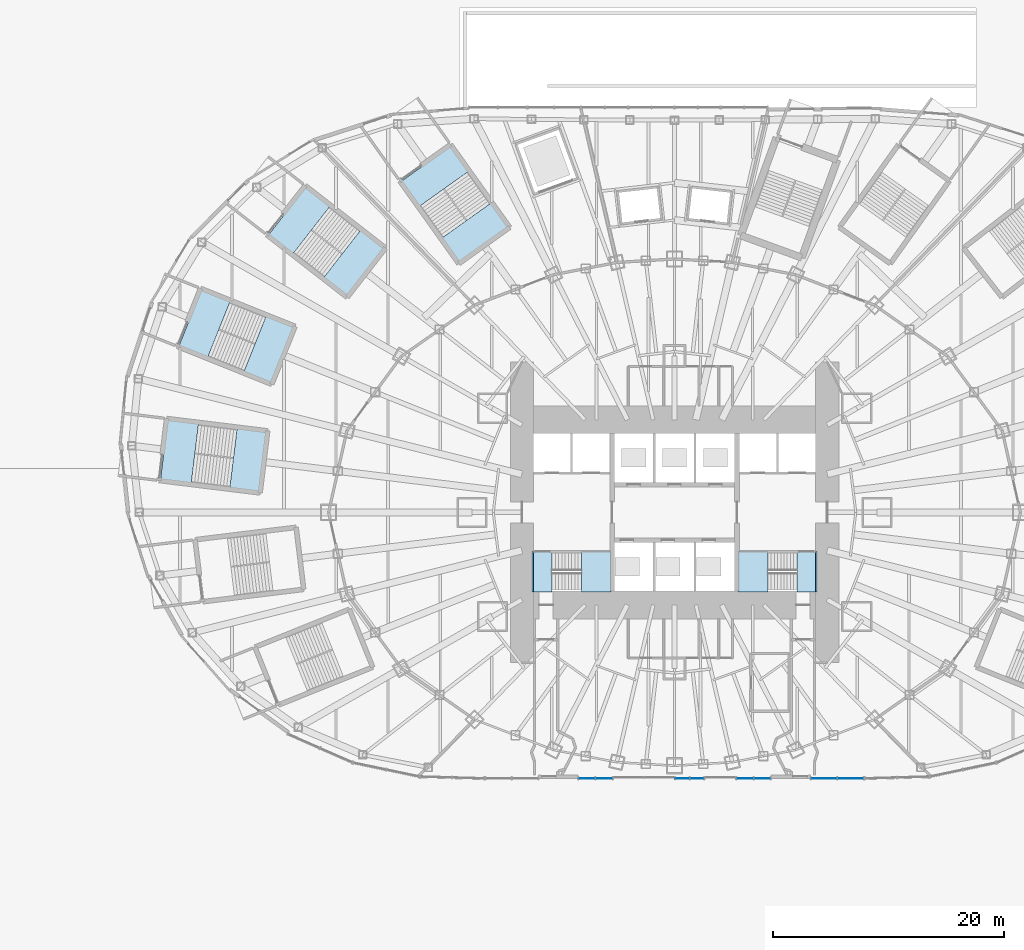
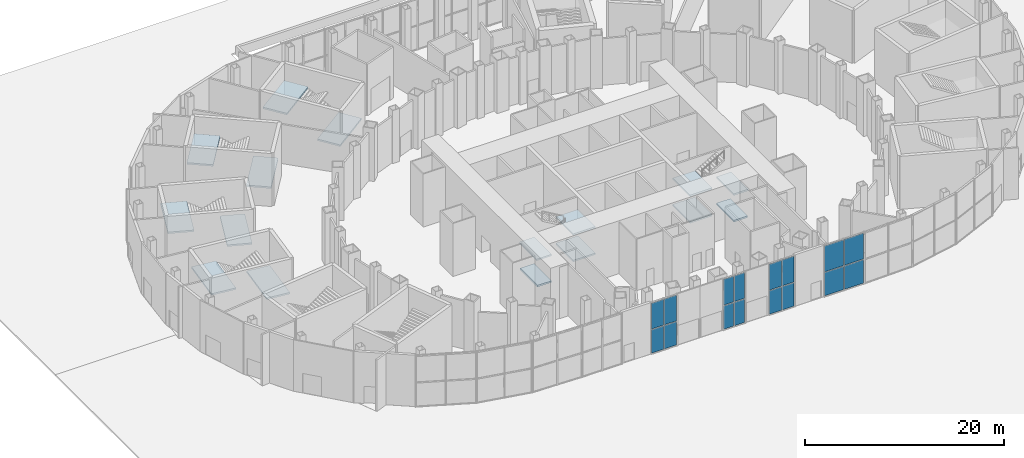
# One storey, part 14 of 47: 16 plates, 16 slabs, 10 elements without a shape of their own.
"""IFC4 building model written with IfcOpenShell, lengths in metres."""

from ifc_helpers import new_model, si_unit, direction, frame, origin, origin_2d, place, context, subcontext, project, spatial, polyline, rectangle, outline, extrude, material, layer, layer_set, type_object, element, aggregate, save


model = new_model("IFC4")

# Units and contexts
model_context = context("Model", 3, precision=1e-05, world=origin(), true_north=direction((0.0, 1.0)))
body_context = subcontext(model_context, "Body", "Model", "MODEL_VIEW")
ifc_project = project(units=[si_unit("LENGTHUNIT", "METRE"), si_unit("AREAUNIT", "SQUARE_METRE"), si_unit("VOLUMEUNIT", "CUBIC_METRE"), si_unit("PLANEANGLEUNIT", "RADIAN"), si_unit("MASSUNIT", "GRAM", prefix="KILO")], contexts=[model_context])

# Site, building, storey
site_placement = place(None, origin())
site = spatial("IfcSite", under=ifc_project, at=site_placement, CompositionType="ELEMENT")
building_placement = place(site_placement, origin())
building = spatial("IfcBuilding", under=site, at=building_placement, Name="Lantaw Convention Tower", CompositionType="ELEMENT")
storey_placement = place(building_placement, origin())
storey = spatial("IfcBuildingStorey", under=building, at=storey_placement, Name="L00", CompositionType="ELEMENT", Elevation=0.0)

# Curtain wall, plates
ifc_material_1 = material(Name="Aluminium framed curtain wall", Category="aluminium")
curtain_wall_type = type_object("IfcCurtainWallType", Name="Podium storefront curtain wall, pale aluminium", PredefinedType="USERDEFINED", material=ifc_material_1)
curtain_wall_1_placement = place(storey_placement, origin())
curtain_wall_1 = element("IfcCurtainWall", 1, at=curtain_wall_1_placement, inside=storey, type_object=curtain_wall_type, Name="Podium storefront curtain wall, pale aluminium L00", ObjectType="STOREFRONT", PredefinedType="USERDEFINED")
ifc_material_2 = material(Name="Laminated clear glass", Category="glass")
ifc_layer_1 = layer(ifc_material_2, 0.031982421875)
ifc_layer_set_1 = layer_set([ifc_layer_1], Name="CW-P panel 32")
plate_type = type_object("IfcPlateType", Name="CW-P panel 32", PredefinedType="CURTAIN_PANEL", material=ifc_layer_set_1)
plate_1_placement = place(storey_placement, frame((-7.5859375, -23.0, 0.080078125), z_axis=(0.0, 0.0, 1.0), x_axis=(1.0, 0.0, 0.0)))
plate_1 = element("IfcPlate", 2, at=plate_1_placement, type_object=plate_type, Name="CW-P panel 1.1", PredefinedType="CURTAIN_PANEL", context=body_context, shape_type="SweptSolid", body=[
    extrude(rectangle(XDim=1.41064453125, YDim=0.031982421875, at=origin_2d()), origin(), (0.0, 0.0, 1.0), 2.8798828125),
])
plate_2_placement = place(storey_placement, frame((-7.5859375, -23.0, 3.0400390625), z_axis=(0.0, 0.0, 1.0), x_axis=(1.0, 0.0, 0.0)))
plate_2 = element("IfcPlate", 3, at=plate_2_placement, type_object=plate_type, Name="CW-P panel 1.2", PredefinedType="CURTAIN_PANEL", context=body_context, shape_type="SweptSolid", body=[
    extrude(rectangle(XDim=1.41064453125, YDim=0.031982421875, at=origin_2d()), origin(), (0.0, 0.0, 1.0), 3.179931640625),
])
plate_3_placement = place(storey_placement, frame((-6.09521484375, -23.0, 0.080078125), z_axis=(0.0, 0.0, 1.0), x_axis=(1.0, 0.0, 0.0)))
plate_3 = element("IfcPlate", 4, at=plate_3_placement, type_object=plate_type, Name="CW-P panel 2.1", PredefinedType="CURTAIN_PANEL", context=body_context, shape_type="SweptSolid", body=[
    extrude(rectangle(XDim=1.41064453125, YDim=0.031982421875, at=origin_2d()), origin(), (0.0, 0.0, 1.0), 2.8798828125),
])
plate_4_placement = place(storey_placement, frame((-6.09521484375, -23.0, 3.0400390625), z_axis=(0.0, 0.0, 1.0), x_axis=(1.0, 0.0, 0.0)))
plate_4 = element("IfcPlate", 5, at=plate_4_placement, type_object=plate_type, Name="CW-P panel 2.2", PredefinedType="CURTAIN_PANEL", context=body_context, shape_type="SweptSolid", body=[
    extrude(rectangle(XDim=1.41064453125, YDim=0.031982421875, at=origin_2d()), origin(), (0.0, 0.0, 1.0), 3.179931640625),
])
aggregate(curtain_wall_1, [plate_1, plate_2, plate_3, plate_4])

curtain_wall_2_placement = place(storey_placement, origin())
curtain_wall_2 = element("IfcCurtainWall", 6, at=curtain_wall_2_placement, inside=storey, type_object=curtain_wall_type, Name="Podium storefront curtain wall, pale aluminium L00", ObjectType="STOREFRONT", PredefinedType="USERDEFINED")
plate_5_placement = place(storey_placement, frame((0.675048828125, -23.0, 0.080078125), z_axis=(0.0, 0.0, 1.0), x_axis=(1.0, 0.0, 0.0)))
plate_5 = element("IfcPlate", 7, at=plate_5_placement, type_object=plate_type, Name="CW-P panel 1.1", PredefinedType="CURTAIN_PANEL", context=body_context, shape_type="SweptSolid", body=[
    extrude(rectangle(XDim=1.190185546875, YDim=0.031982421875, at=origin_2d()), origin(), (0.0, 0.0, 1.0), 2.8798828125),
])
plate_6_placement = place(storey_placement, frame((0.675048828125, -23.0, 3.0400390625), z_axis=(0.0, 0.0, 1.0), x_axis=(1.0, 0.0, 0.0)))
plate_6 = element("IfcPlate", 8, at=plate_6_placement, type_object=plate_type, Name="CW-P panel 1.2", PredefinedType="CURTAIN_PANEL", context=body_context, shape_type="SweptSolid", body=[
    extrude(rectangle(XDim=1.190185546875, YDim=0.031982421875, at=origin_2d()), origin(), (0.0, 0.0, 1.0), 3.179931640625),
])
plate_7_placement = place(storey_placement, frame((1.9453125, -23.0, 0.080078125), z_axis=(0.0, 0.0, 1.0), x_axis=(1.0, 0.0, 0.0)))
plate_7 = element("IfcPlate", 9, at=plate_7_placement, type_object=plate_type, Name="CW-P panel 2.1", PredefinedType="CURTAIN_PANEL", context=body_context, shape_type="SweptSolid", body=[
    extrude(rectangle(XDim=1.190185546875, YDim=0.031982421875, at=origin_2d()), origin(), (0.0, 0.0, 1.0), 2.8798828125),
])
plate_8_placement = place(storey_placement, frame((1.9453125, -23.0, 3.0400390625), z_axis=(0.0, 0.0, 1.0), x_axis=(1.0, 0.0, 0.0)))
plate_8 = element("IfcPlate", 10, at=plate_8_placement, type_object=plate_type, Name="CW-P panel 2.2", PredefinedType="CURTAIN_PANEL", context=body_context, shape_type="SweptSolid", body=[
    extrude(rectangle(XDim=1.190185546875, YDim=0.031982421875, at=origin_2d()), origin(), (0.0, 0.0, 1.0), 3.179931640625),
])
aggregate(curtain_wall_2, [plate_5, plate_6, plate_7, plate_8])

curtain_wall_3_placement = place(storey_placement, origin())
curtain_wall_3 = element("IfcCurtainWall", 11, at=curtain_wall_3_placement, inside=storey, type_object=curtain_wall_type, Name="Podium storefront curtain wall, pale aluminium L00", ObjectType="STOREFRONT", PredefinedType="USERDEFINED")
plate_9_placement = place(storey_placement, frame((6.09521484375, -23.0, 0.080078125), z_axis=(0.0, 0.0, 1.0), x_axis=(1.0, 0.0, 0.0)))
plate_9 = element("IfcPlate", 12, at=plate_9_placement, type_object=plate_type, Name="CW-P panel 1.1", PredefinedType="CURTAIN_PANEL", context=body_context, shape_type="SweptSolid", body=[
    extrude(rectangle(XDim=1.41064453125, YDim=0.031982421875, at=origin_2d()), origin(), (0.0, 0.0, 1.0), 2.8798828125),
])
plate_10_placement = place(storey_placement, frame((6.09521484375, -23.0, 3.0400390625), z_axis=(0.0, 0.0, 1.0), x_axis=(1.0, 0.0, 0.0)))
plate_10 = element("IfcPlate", 13, at=plate_10_placement, type_object=plate_type, Name="CW-P panel 1.2", PredefinedType="CURTAIN_PANEL", context=body_context, shape_type="SweptSolid", body=[
    extrude(rectangle(XDim=1.41064453125, YDim=0.031982421875, at=origin_2d()), origin(), (0.0, 0.0, 1.0), 3.179931640625),
])
plate_11_placement = place(storey_placement, frame((7.5859375, -23.0, 0.080078125), z_axis=(0.0, 0.0, 1.0), x_axis=(1.0, 0.0, 0.0)))
plate_11 = element("IfcPlate", 14, at=plate_11_placement, type_object=plate_type, Name="CW-P panel 2.1", PredefinedType="CURTAIN_PANEL", context=body_context, shape_type="SweptSolid", body=[
    extrude(rectangle(XDim=1.41064453125, YDim=0.031982421875, at=origin_2d()), origin(), (0.0, 0.0, 1.0), 2.8798828125),
])
plate_12_placement = place(storey_placement, frame((7.5859375, -23.0, 3.0400390625), z_axis=(0.0, 0.0, 1.0), x_axis=(1.0, 0.0, 0.0)))
plate_12 = element("IfcPlate", 15, at=plate_12_placement, type_object=plate_type, Name="CW-P panel 2.2", PredefinedType="CURTAIN_PANEL", context=body_context, shape_type="SweptSolid", body=[
    extrude(rectangle(XDim=1.41064453125, YDim=0.031982421875, at=origin_2d()), origin(), (0.0, 0.0, 1.0), 3.179931640625),
])
aggregate(curtain_wall_3, [plate_9, plate_10, plate_11, plate_12])

curtain_wall_4_placement = place(storey_placement, origin())
curtain_wall_4 = element("IfcCurtainWall", 16, at=curtain_wall_4_placement, inside=storey, type_object=curtain_wall_type, Name="Podium storefront curtain wall, pale aluminium L00", ObjectType="STOREFRONT", PredefinedType="USERDEFINED")
plate_13_placement = place(storey_placement, frame((12.91064453125, -23.0, 0.080078125), z_axis=(0.0, 0.0, 1.0), x_axis=(1.0, 0.0, 0.0)))
plate_13 = element("IfcPlate", 17, at=plate_13_placement, type_object=plate_type, Name="CW-P panel 1.1", PredefinedType="CURTAIN_PANEL", context=body_context, shape_type="SweptSolid", body=[
    extrude(rectangle(XDim=2.223388671875, YDim=0.031982421875, at=origin_2d()), origin(), (0.0, 0.0, 1.0), 2.8798828125),
])
plate_14_placement = place(storey_placement, frame((12.91064453125, -23.0, 3.0400390625), z_axis=(0.0, 0.0, 1.0), x_axis=(1.0, 0.0, 0.0)))
plate_14 = element("IfcPlate", 18, at=plate_14_placement, type_object=plate_type, Name="CW-P panel 1.2", PredefinedType="CURTAIN_PANEL", context=body_context, shape_type="SweptSolid", body=[
    extrude(rectangle(XDim=2.223388671875, YDim=0.031982421875, at=origin_2d()), origin(), (0.0, 0.0, 1.0), 3.179931640625),
])
plate_15_placement = place(storey_placement, frame((15.214111328125, -23.0, 0.080078125), z_axis=(0.0, 0.0, 1.0), x_axis=(1.0, 0.0, 0.0)))
plate_15 = element("IfcPlate", 19, at=plate_15_placement, type_object=plate_type, Name="CW-P panel 2.1", PredefinedType="CURTAIN_PANEL", context=body_context, shape_type="SweptSolid", body=[
    extrude(rectangle(XDim=2.223388671875, YDim=0.031982421875, at=origin_2d()), origin(), (0.0, 0.0, 1.0), 2.8798828125),
])
plate_16_placement = place(storey_placement, frame((15.214111328125, -23.0, 3.0400390625), z_axis=(0.0, 0.0, 1.0), x_axis=(1.0, 0.0, 0.0)))
plate_16 = element("IfcPlate", 20, at=plate_16_placement, type_object=plate_type, Name="CW-P panel 2.2", PredefinedType="CURTAIN_PANEL", context=body_context, shape_type="SweptSolid", body=[
    extrude(rectangle(XDim=2.223388671875, YDim=0.031982421875, at=origin_2d()), origin(), (0.0, 0.0, 1.0), 3.179931640625),
])
aggregate(curtain_wall_4, [plate_13, plate_14, plate_15, plate_16])

# Stair, slabs
ifc_material_3 = material(Name="Concrete C35/45", Category="concrete")
stair_type_1 = type_object("IfcStairType", Name="Exit stair 1500 riser 162.5 in 4 flights", PredefinedType="HALF_TURN_STAIR", material=ifc_material_3)
stair_1_placement = place(storey_placement, origin())
stair_1 = element("IfcStair", 21, at=stair_1_placement, inside=storey, type_object=stair_type_1, Name="Exit stair S1 L00", PredefinedType="HALF_TURN_STAIR")
ifc_layer_2 = layer(ifc_material_3, 0.199951171875)
ifc_layer_set_2 = layer_set([ifc_layer_2], Name="Stair landing 200")
slab_type = type_object("IfcSlabType", Name="Stair landing 200", PredefinedType="LANDING", material=ifc_layer_set_2)
slab_1_placement = place(storey_placement, frame((0.0, 0.0, -0.199951171875)))
slab_1 = element("IfcSlab", 22, at=slab_1_placement, type_object=slab_type, Name="S1 landing 1", PredefinedType="LANDING", context=body_context, shape_type="SweptSolid", body=[
    extrude(outline(polyline([(-12.199951171875, -6.89990234375), (-10.580078125, -6.89990234375), (-10.580078125, -3.39990234375), (-12.199951171875, -3.39990234375), (-12.199951171875, -6.89990234375)])), origin(), (0.0, 0.0, 1.0), 0.199951171875),
])
slab_2_placement = place(storey_placement, frame((0.0, 0.0, 1.425048828125)))
slab_2 = element("IfcSlab", 23, at=slab_2_placement, type_object=slab_type, Name="S1 landing 2", PredefinedType="LANDING", context=body_context, shape_type="SweptSolid", body=[
    extrude(outline(polyline([(-8.06005859375, -6.89990234375), (-5.5, -6.89990234375), (-5.5, -3.39990234375), (-8.06005859375, -3.39990234375), (-8.06005859375, -6.89990234375)])), origin(), (0.0, 0.0, 1.0), 0.199951171875),
])
slab_3_placement = place(storey_placement, frame((0.0, 0.0, 3.050048828125)))
slab_3 = element("IfcSlab", 24, at=slab_3_placement, type_object=slab_type, Name="S1 landing 3", PredefinedType="LANDING", context=body_context, shape_type="SweptSolid", body=[
    extrude(outline(polyline([(-12.300048828125, -6.89990234375), (-10.580078125, -6.89990234375), (-10.580078125, -3.39990234375), (-12.300048828125, -3.39990234375), (-12.300048828125, -6.89990234375)])), origin(), (0.0, 0.0, 1.0), 0.199951171875),
])
slab_4_placement = place(storey_placement, frame((0.0, 0.0, 4.675048828125)))
slab_4 = element("IfcSlab", 25, at=slab_4_placement, type_object=slab_type, Name="S1 landing 4", PredefinedType="LANDING", context=body_context, shape_type="SweptSolid", body=[
    extrude(outline(polyline([(-8.06005859375, -6.89990234375), (-5.5, -6.89990234375), (-5.5, -3.39990234375), (-8.06005859375, -3.39990234375), (-8.06005859375, -6.89990234375)])), origin(), (0.0, 0.0, 1.0), 0.199951171875),
])
aggregate(stair_1, [slab_1, slab_2, slab_3, slab_4])

stair_2_placement = place(storey_placement, origin())
stair_2 = element("IfcStair", 26, at=stair_2_placement, inside=storey, type_object=stair_type_1, Name="Exit stair S2 L00", PredefinedType="HALF_TURN_STAIR")
slab_5_placement = place(storey_placement, frame((0.0, 0.0, -0.199951171875)))
slab_5 = element("IfcSlab", 27, at=slab_5_placement, type_object=slab_type, Name="S2 landing 1", PredefinedType="LANDING", context=body_context, shape_type="SweptSolid", body=[
    extrude(outline(polyline([(10.580078125, -6.89990234375), (12.199951171875, -6.89990234375), (12.199951171875, -3.39990234375), (10.580078125, -3.39990234375), (10.580078125, -6.89990234375)])), origin(), (0.0, 0.0, 1.0), 0.199951171875),
])
slab_6_placement = place(storey_placement, frame((0.0, 0.0, 1.425048828125)))
slab_6 = element("IfcSlab", 28, at=slab_6_placement, type_object=slab_type, Name="S2 landing 2", PredefinedType="LANDING", context=body_context, shape_type="SweptSolid", body=[
    extrude(outline(polyline([(5.5, -6.89990234375), (8.06005859375, -6.89990234375), (8.06005859375, -3.39990234375), (5.5, -3.39990234375), (5.5, -6.89990234375)])), origin(), (0.0, 0.0, 1.0), 0.199951171875),
])
slab_7_placement = place(storey_placement, frame((0.0, 0.0, 3.050048828125)))
slab_7 = element("IfcSlab", 29, at=slab_7_placement, type_object=slab_type, Name="S2 landing 3", PredefinedType="LANDING", context=body_context, shape_type="SweptSolid", body=[
    extrude(outline(polyline([(10.580078125, -6.89990234375), (12.300048828125, -6.89990234375), (12.300048828125, -3.39990234375), (10.580078125, -3.39990234375), (10.580078125, -6.89990234375)])), origin(), (0.0, 0.0, 1.0), 0.199951171875),
])
slab_8_placement = place(storey_placement, frame((0.0, 0.0, 4.675048828125)))
slab_8 = element("IfcSlab", 30, at=slab_8_placement, type_object=slab_type, Name="S2 landing 4", PredefinedType="LANDING", context=body_context, shape_type="SweptSolid", body=[
    extrude(outline(polyline([(5.5, -6.89990234375), (8.06005859375, -6.89990234375), (8.06005859375, -3.39990234375), (5.5, -3.39990234375), (5.5, -6.89990234375)])), origin(), (0.0, 0.0, 1.0), 0.199951171875),
])
aggregate(stair_2, [slab_5, slab_6, slab_7, slab_8])

stair_type_2 = type_object("IfcStairType", Name="Exit stair 2400 riser 166.67 in 3 flights", PredefinedType="HALF_TURN_STAIR", material=ifc_material_3)
stair_3_placement = place(storey_placement, origin())
stair_3 = element("IfcStair", 31, at=stair_3_placement, inside=storey, type_object=stair_type_2, Name="Podium exit stair P6 L00", PredefinedType="HALF_TURN_STAIR")
slab_9_placement = place(storey_placement, frame((0.0, 0.0, 1.966552734375)))
slab_9 = element("IfcSlab", 32, at=slab_9_placement, type_object=slab_type, Name="P6 landing 1", PredefinedType="LANDING", context=body_context, shape_type="SweptSolid", body=[
    extrude(outline(polyline([(-14.418212890625, 24.656494140625), (-15.888671875, 26.718017578125), (-20.089599609375, 23.721435546875), (-18.619140625, 21.66015625), (-14.418212890625, 24.656494140625)])), origin(), (0.0, 0.0, 1.0), 0.2001953125),
])
slab_10_placement = place(storey_placement, frame((0.0, 0.0, 4.13330078125)))
slab_10 = element("IfcSlab", 33, at=slab_10_placement, type_object=slab_type, Name="P6 landing 2", PredefinedType="LANDING", context=body_context, shape_type="SweptSolid", body=[
    extrude(outline(polyline([(-17.83740234375, 29.4501953125), (-19.38916015625, 31.62548828125), (-23.58984375, 28.62890625), (-22.038330078125, 26.45361328125), (-17.83740234375, 29.4501953125)])), origin(), (0.0, 0.0, 1.0), 0.199951171875),
])
aggregate(stair_3, [slab_9, slab_10])

stair_4_placement = place(storey_placement, origin())
stair_4 = element("IfcStair", 34, at=stair_4_placement, inside=storey, type_object=stair_type_2, Name="Podium exit stair P7 L00", PredefinedType="HALF_TURN_STAIR")
slab_11_placement = place(storey_placement, frame((0.0, 0.0, 1.966552734375)))
slab_11 = element("IfcSlab", 35, at=slab_11_placement, type_object=slab_type, Name="P7 landing 1", PredefinedType="LANDING", context=body_context, shape_type="SweptSolid", body=[
    extrude(outline(polyline([(-25.14599609375, 22.82470703125), (-27.144775390625, 24.379150390625), (-30.3125, 20.305908203125), (-28.313720703125, 18.75146484375), (-25.14599609375, 22.82470703125)])), origin(), (0.0, 0.0, 1.0), 0.2001953125),
])
slab_12_placement = place(storey_placement, frame((0.0, 0.0, 4.13330078125)))
slab_12 = element("IfcSlab", 36, at=slab_12_placement, type_object=slab_type, Name="P7 landing 2", PredefinedType="LANDING", context=body_context, shape_type="SweptSolid", body=[
    extrude(outline(polyline([(-29.7939453125, 26.439453125), (-31.903076171875, 28.07958984375), (-35.07080078125, 24.006591796875), (-32.961669921875, 22.3662109375), (-29.7939453125, 26.439453125)])), origin(), (0.0, 0.0, 1.0), 0.199951171875),
])
aggregate(stair_4, [slab_11, slab_12])

stair_5_placement = place(storey_placement, origin())
stair_5 = element("IfcStair", 37, at=stair_5_placement, inside=storey, type_object=stair_type_2, Name="Podium exit stair P8 L00", PredefinedType="HALF_TURN_STAIR")
slab_13_placement = place(storey_placement, frame((0.0, 0.0, 1.966552734375)))
slab_13 = element("IfcSlab", 38, at=slab_13_placement, type_object=slab_type, Name="P8 landing 1", PredefinedType="LANDING", context=body_context, shape_type="SweptSolid", body=[
    extrude(outline(polyline([(-32.9560546875, 16.010009765625), (-35.305908203125, 16.953369140625), (-37.228271484375, 12.164794921875), (-34.87841796875, 11.221435546875), (-32.9560546875, 16.010009765625)])), origin(), (0.0, 0.0, 1.0), 0.2001953125),
])
slab_14_placement = place(storey_placement, frame((0.0, 0.0, 4.13330078125)))
slab_14 = element("IfcSlab", 39, at=slab_14_placement, type_object=slab_type, Name="P8 landing 2", PredefinedType="LANDING", context=body_context, shape_type="SweptSolid", body=[
    extrude(outline(polyline([(-38.420166015625, 18.20361328125), (-40.89990234375, 19.198974609375), (-42.822265625, 14.410400390625), (-40.342529296875, 13.4150390625), (-38.420166015625, 18.20361328125)])), origin(), (0.0, 0.0, 1.0), 0.199951171875),
])
aggregate(stair_5, [slab_13, slab_14])

stair_6_placement = place(storey_placement, origin())
stair_6 = element("IfcStair", 40, at=stair_6_placement, inside=storey, type_object=stair_type_2, Name="Podium exit stair P9 L00", PredefinedType="HALF_TURN_STAIR")
slab_15_placement = place(storey_placement, frame((0.0, 0.0, 1.966552734375)))
slab_15 = element("IfcSlab", 41, at=slab_15_placement, type_object=slab_type, Name="P9 landing 1", PredefinedType="LANDING", context=body_context, shape_type="SweptSolid", body=[
    extrude(outline(polyline([(-35.29833984375, 6.93359375), (-37.8115234375, 7.241943359375), (-38.4404296875, 2.12060546875), (-35.92724609375, 1.81201171875), (-35.29833984375, 6.93359375)])), origin(), (0.0, 0.0, 1.0), 0.2001953125),
])
slab_16_placement = place(storey_placement, frame((0.0, 0.0, 4.13330078125)))
slab_16 = element("IfcSlab", 42, at=slab_16_placement, type_object=slab_type, Name="P9 landing 2", PredefinedType="LANDING", context=body_context, shape_type="SweptSolid", body=[
    extrude(outline(polyline([(-41.142578125, 7.651123046875), (-43.794677734375, 7.9765625), (-44.42333984375, 2.855224609375), (-41.771484375, 2.529541015625), (-41.142578125, 7.651123046875)])), origin(), (0.0, 0.0, 1.0), 0.199951171875),
])
aggregate(stair_6, [slab_15, slab_16])

save(model, "model.ifc")
